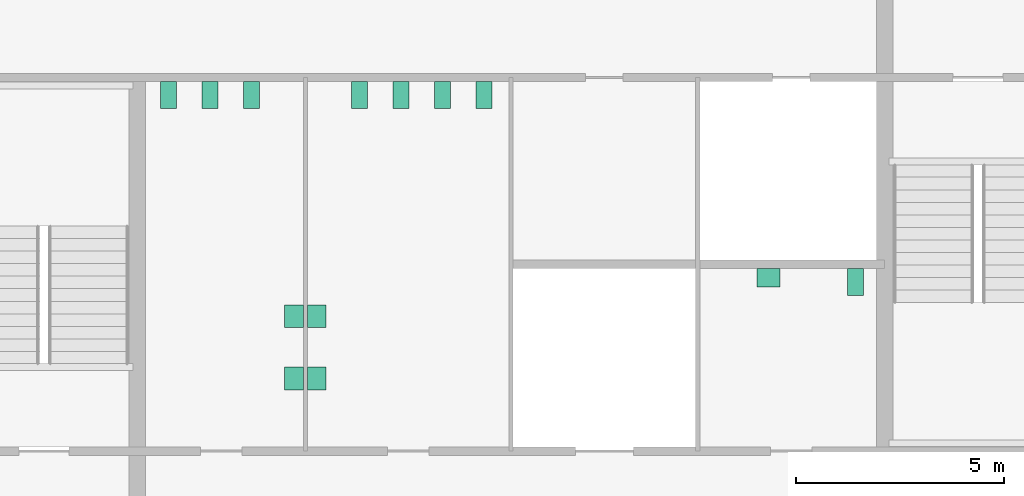
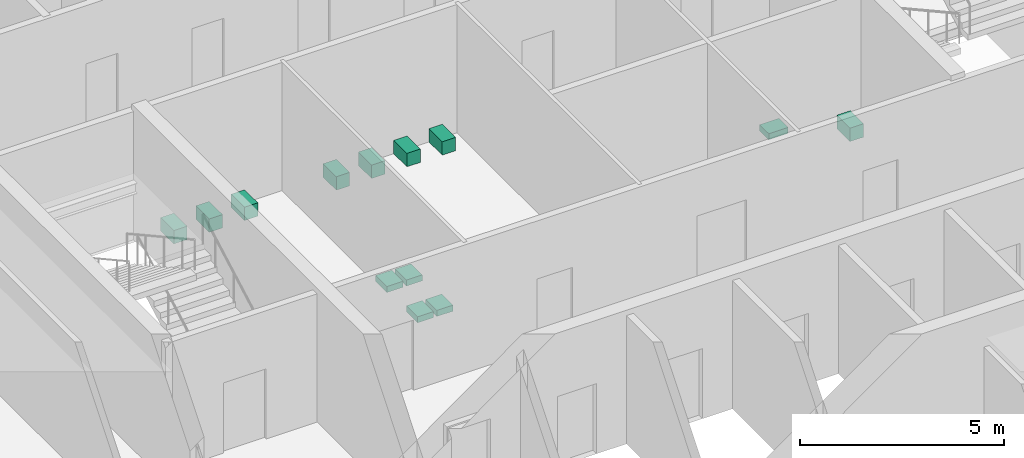
# One storey, part 13 of 13: 13 sanitary terminals.
"""IFC4 building model written with IfcOpenShell, lengths in metres."""

from ifc_helpers import new_model, si_unit, direction, frame, origin, origin_2d, place, context, subcontext, project, spatial, rectangle, extrude, material, type_object, element, save


model = new_model("IFC4")

# Units and contexts
model_context = context("Model", 3, precision=1e-05, world=origin(), true_north=direction((0.0, 1.0)))
body_context = subcontext(model_context, "Body", "Model", "MODEL_VIEW")
ifc_project = project(units=[si_unit("LENGTHUNIT", "METRE"), si_unit("AREAUNIT", "SQUARE_METRE"), si_unit("VOLUMEUNIT", "CUBIC_METRE"), si_unit("PLANEANGLEUNIT", "RADIAN"), si_unit("MASSUNIT", "GRAM", prefix="KILO")], contexts=[model_context])

# Site, building, storey
site_placement = place(None, origin())
site = spatial("IfcSite", under=ifc_project, at=site_placement, CompositionType="ELEMENT")
building_placement = place(site_placement, origin())
building = spatial("IfcBuilding", under=site, at=building_placement, Name="Corais Broadcast Tower", CompositionType="ELEMENT")
storey_placement = place(building_placement, frame((0.0, 0.0, 274.60009765625)))
storey = spatial("IfcBuildingStorey", under=building, at=storey_placement, Name="L64", CompositionType="ELEMENT", Elevation=274.60009765625)

# Sanitary terminals
ifc_material_1 = material(Name="Vitreous china", Category="ceramic")
sanitary_terminal_type_1 = type_object("IfcSanitaryTerminalType", Name="WC pan 380x650", PredefinedType="TOILETPAN", material=ifc_material_1)
for number, where, z_axis, x_axis, name in (
    (1, (18.75, 31.074951171875, 0.0), (0.0, 0.0, 1.0), (1.0, 0.0, 0.0), "SW1 WC pan, male toilets L64"),
    (2, (19.75, 31.074951171875, 0.0), (0.0, 0.0, 1.0), (1.0, 0.0, 0.0), "SW1 WC pan, male toilets L64"),
    (3, (20.75, 31.074951171875, 0.0), (0.0, 0.0, 1.0), (1.0, 0.0, 0.0), "SW1 WC pan, male toilets L64"),
    (4, (23.35009765625, 31.074951171875, 0.0), (0.0, 0.0, 1.0), (1.0, 0.0, 0.0), "SW1 WC pan, female toilets L64"),
    (5, (24.35009765625, 31.074951171875, 0.0), (0.0, 0.0, 1.0), (1.0, 0.0, 0.0), "SW1 WC pan, female toilets L64"),
    (6, (25.35009765625, 31.074951171875, 0.0), (0.0, 0.0, 1.0), (1.0, 0.0, 0.0), "SW1 WC pan, female toilets L64"),
    (7, (26.35009765625, 31.074951171875, 0.0), (0.0, 0.0, 1.0), (1.0, 0.0, 0.0), "SW1 WC pan, female toilets L64"),
    (8, (35.300048828125, 26.574951171875, 0.0), (0.0, 0.0, 1.0), (1.0, 0.0, 0.0), "SW1 WC pan, accessible WC L64"),
):
    element("IfcSanitaryTerminal", number, at=place(storey_placement, frame(where, z_axis=z_axis, x_axis=x_axis)), inside=storey, type_object=sanitary_terminal_type_1, Name=name, PredefinedType="TOILETPAN", context=body_context, shape_type="SweptSolid", body=[
        extrude(rectangle(XDim=0.3798828125, YDim=0.64990234375, at=origin_2d()), origin(), (0.0, 0.0, 1.0), 0.39990234375),
    ])
ifc_material_2 = material(Name="Vitreous china", Category="ceramic")
sanitary_terminal_type_2 = type_object("IfcSanitaryTerminalType", Name="Wash basin 550x450", PredefinedType="WASHHANDBASIN", material=ifc_material_2)
for number, where, z_axis, x_axis, name in (
    (9, (21.77490234375, 24.25, 0.69970703125), (0.0, 0.0, 1.0), (1.0, 0.0, 0.0), "WB1 wash basin, male toilets L64"),
    (10, (21.77490234375, 25.75, 0.69970703125), (0.0, 0.0, 1.0), (1.0, 0.0, 0.0), "WB1 wash basin, male toilets L64"),
    (11, (22.324951171875, 24.25, 0.69970703125), (0.0, 0.0, 1.0), (1.0, 0.0, 0.0), "WB1 wash basin, female toilets L64"),
    (12, (22.324951171875, 25.75, 0.69970703125), (0.0, 0.0, 1.0), (1.0, 0.0, 0.0), "WB1 wash basin, female toilets L64"),
):
    element("IfcSanitaryTerminal", number, at=place(storey_placement, frame(where, z_axis=z_axis, x_axis=x_axis)), inside=storey, type_object=sanitary_terminal_type_2, Name=name, PredefinedType="WASHHANDBASIN", context=body_context, shape_type="SweptSolid", body=[
        extrude(rectangle(XDim=0.449951171875, YDim=0.550048828125, at=origin_2d()), origin(), (0.0, 0.0, 1.0), 0.179931640625),
    ])
sanitary_terminal_placement = place(storey_placement, frame((33.199951171875, 26.675048828125, 0.69970703125), z_axis=(0.0, 0.0, 1.0), x_axis=(1.0, 0.0, 0.0)))
element("IfcSanitaryTerminal", 13, at=sanitary_terminal_placement, inside=storey, type_object=sanitary_terminal_type_2, Name="WB1 wash basin, accessible WC L64", PredefinedType="WASHHANDBASIN", context=body_context, shape_type="SweptSolid", body=[
    extrude(rectangle(XDim=0.550048828125, YDim=0.449951171875, at=origin_2d()), origin(), (0.0, 0.0, 1.0), 0.179931640625),
])

save(model, "model.ifc")
